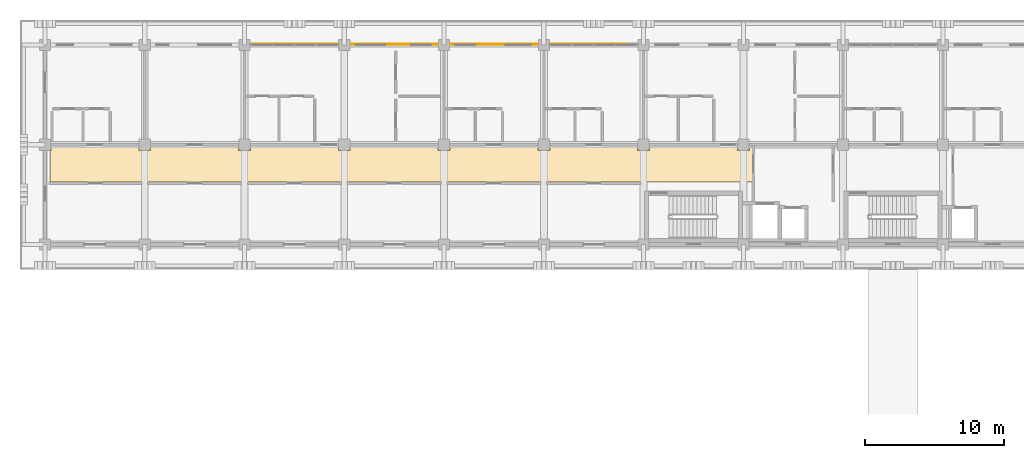
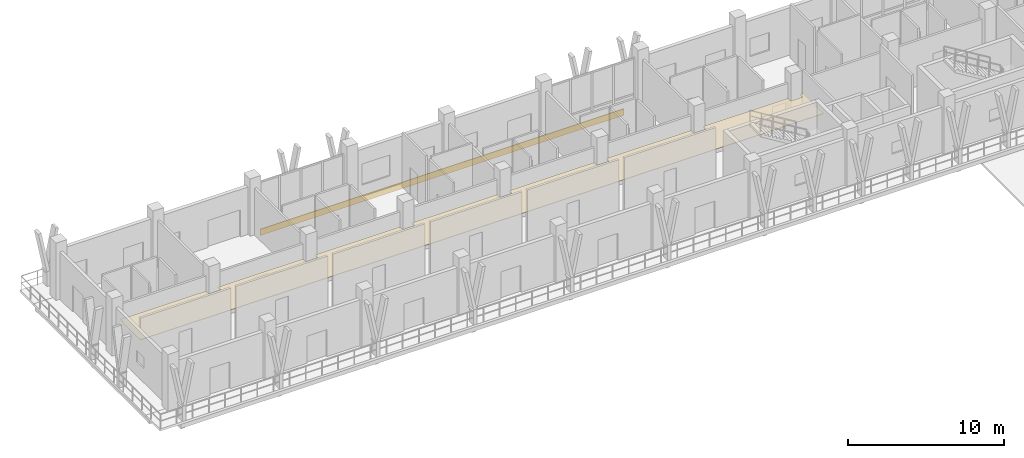
# One storey, part 97 of 110: 2 coverings.
"""IFC4 building model written with IfcOpenShell, lengths in metres."""

from ifc_helpers import new_model, si_unit, direction, frame, origin, place, context, subcontext, project, spatial, polyline, outline, extrude, material, layer, layer_set, type_object, element, save


model = new_model("IFC4")

# Units and contexts
model_context = context("Model", 3, precision=1e-05, world=origin(), true_north=direction((0.0, 1.0)))
body_context = subcontext(model_context, "Body", "Model", "MODEL_VIEW")
ifc_project = project(units=[si_unit("LENGTHUNIT", "METRE"), si_unit("AREAUNIT", "SQUARE_METRE"), si_unit("VOLUMEUNIT", "CUBIC_METRE"), si_unit("PLANEANGLEUNIT", "RADIAN"), si_unit("MASSUNIT", "GRAM", prefix="KILO")], contexts=[model_context])

# Site, building, storey
site_placement = place(None, origin())
site = spatial("IfcSite", under=ifc_project, at=site_placement, CompositionType="ELEMENT")
building_placement = place(site_placement, origin())
building = spatial("IfcBuilding", under=site, at=building_placement, Name="Suanplinth Sawtooth Commons", CompositionType="ELEMENT")
storey_placement = place(building_placement, frame((0.0, 0.0, 4.5)))
storey = spatial("IfcBuildingStorey", under=building, at=storey_placement, Name="L01", CompositionType="ELEMENT", Elevation=4.5)

# Coverings
ifc_material_1 = material(Name="Mineral fibre acoustic tile")
ifc_layer_1 = layer(ifc_material_1, 0.0400390625, Name="Perforated mineral-fibre acoustic suspended ceiling")
ifc_layer_set_1 = layer_set([ifc_layer_1], Name="Mineral fibre acoustic tile")
covering_type_1 = type_object("IfcCoveringType", Name="CV-CE01", PredefinedType="CEILING", material=ifc_layer_set_1)
covering_1_placement = place(storey_placement, frame((0.0, 0.0, 2.3798828125)))
element("IfcCovering", 1, at=covering_1_placement, inside=storey, type_object=covering_type_1, Name="L01 Block A Corridor Acoustic Ceiling", PredefinedType="CEILING", context=body_context, shape_type="SweptSolid", body=[
    extrude(outline(polyline([(0.360107421875, 112.5), (0.360107421875, 114.77001953125), (0.429931640625, 114.77001953125), (0.429931640625, 115.1201171875), (6.77001953125, 115.1201171875), (6.77001953125, 114.77001953125), (7.6298828125, 114.77001953125), (7.6298828125, 115.1201171875), (13.969970703125, 115.1201171875), (13.969970703125, 114.77001953125), (14.830078125, 114.77001953125), (14.830078125, 115.1201171875), (21.169921875, 115.1201171875), (21.169921875, 114.77001953125), (22.030029296875, 114.77001953125), (22.030029296875, 115.1201171875), (28.3701171875, 115.1201171875), (28.3701171875, 114.77001953125), (29.22998046875, 114.77001953125), (29.22998046875, 115.1201171875), (35.570068359375, 115.1201171875), (35.570068359375, 114.77001953125), (36.429931640625, 114.77001953125), (36.429931640625, 115.1201171875), (42.77001953125, 115.1201171875), (42.77001953125, 114.77001953125), (43.6298828125, 114.77001953125), (43.6298828125, 115.1201171875), (49.969970703125, 115.1201171875), (49.969970703125, 114.77001953125), (50.830078125, 114.77001953125), (50.830078125, 115.1201171875), (51.080078125, 115.1201171875), (51.080078125, 112.5), (0.360107421875, 112.5)])), origin(), (0.0, 0.0, 1.0), 0.0400390625),
])
ifc_material_2 = material(Name="Pigmented architectural fibre-cement cladding")
ifc_layer_2 = layer(ifc_material_2, 0.044921875, Name="Precast terracotta-toned spandrel rainscreen 45mm")
ifc_layer_set_2 = layer_set([ifc_layer_2], Name="Pigmented architectural fibre-cement cladding")
covering_type_2 = type_object("IfcCoveringType", Name="CV-CL01", PredefinedType="CLADDING", material=ifc_layer_set_2)
covering_2_placement = place(storey_placement, frame((0.0, 0.0, -0.550048828125)))
element("IfcCovering", 2, at=covering_2_placement, inside=storey, type_object=covering_type_2, Name="Terracotta Spandrel Fascia Band A", PredefinedType="CLADDING", context=body_context, shape_type="SweptSolid", body=[
    extrude(outline(polyline([(15.0, 122.419921875), (42.0, 122.419921875), (42.0, 122.469970703125), (15.0, 122.469970703125), (15.0, 122.419921875)])), origin(), (0.0, 0.0, 1.0), 0.5),
])

save(model, "model.ifc")
